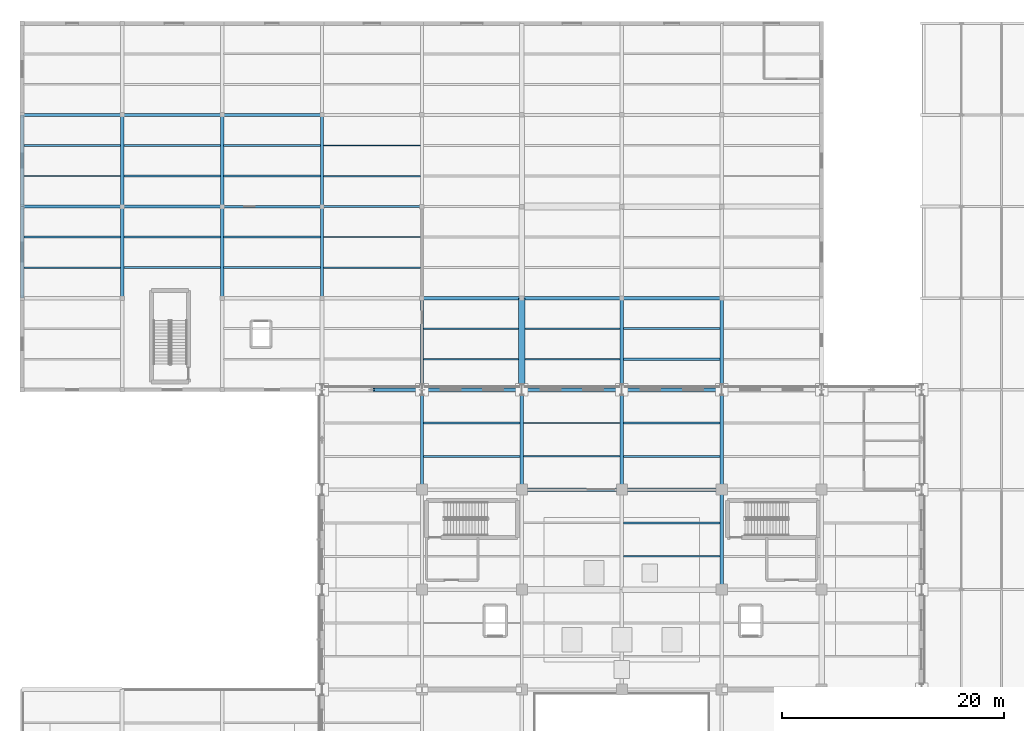
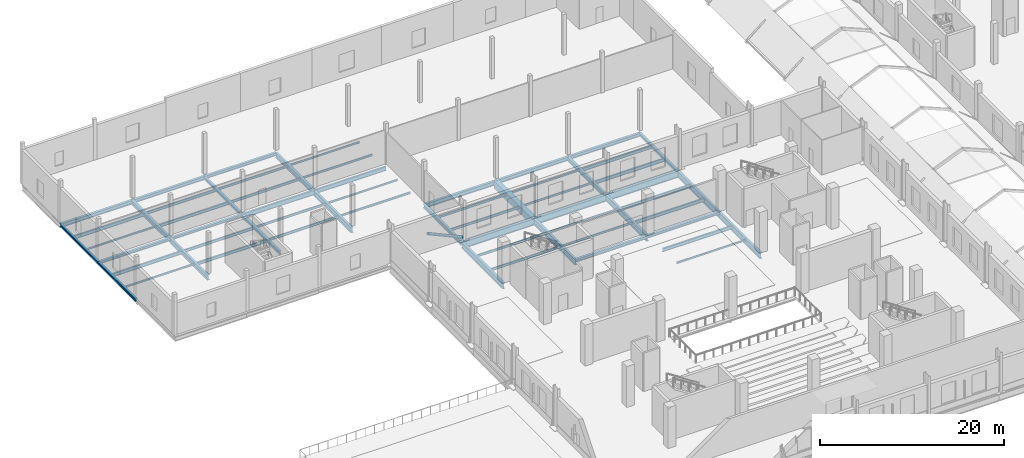
# One storey, part 44 of 141: 62 beams, 1 member.
"""IFC4 building model written with IfcOpenShell, lengths in metres."""

from ifc_helpers import new_model, si_unit, direction, frame, origin, origin_2d, place, context, subcontext, project, spatial, rectangle, hollow_circle, i_section, extrude, material, material_profile, profile_set, type_object, element, save


model = new_model("IFC4")

# Units and contexts
model_context = context("Model", 3, precision=1e-05, world=origin(), true_north=direction((0.0, 1.0)))
body_context = subcontext(model_context, "Body", "Model", "MODEL_VIEW")
ifc_project = project(units=[si_unit("LENGTHUNIT", "METRE"), si_unit("AREAUNIT", "SQUARE_METRE"), si_unit("VOLUMEUNIT", "CUBIC_METRE"), si_unit("PLANEANGLEUNIT", "RADIAN"), si_unit("MASSUNIT", "GRAM", prefix="KILO")], contexts=[model_context])

# Site, building, storey
site_placement = place(None, origin())
site = spatial("IfcSite", under=ifc_project, at=site_placement, CompositionType="ELEMENT")
building_placement = place(site_placement, origin())
building = spatial("IfcBuilding", under=site, at=building_placement, Name="Sundgate Opera House", CompositionType="ELEMENT")
storey_placement = place(building_placement, frame((0.0, 0.0, 11.39990234375)))
storey = spatial("IfcBuildingStorey", under=building, at=storey_placement, Name="L02", CompositionType="ELEMENT", Elevation=11.39990234375)

# Beams
ifc_material_1 = material(Name="Steel S355J2", Category="steel")
ifc_material_profile_1 = material_profile(ifc_material_1, i_section(OverallWidth=0.300048828125, OverallDepth=0.330078125, WebThickness=0.009521484375, FlangeThickness=0.0166015625, at=origin_2d()), Name="HEA 340")
ifc_profile_set_1 = profile_set([ifc_material_profile_1], Name="Steel S355J2")
beam_type_1 = type_object("IfcBeamType", Name="BM-GR-HEA340", PredefinedType="BEAM", material=ifc_profile_set_1)
beam_1_placement = place(storey_placement, frame((0.0, 103.5, -0.514892578125), z_axis=(0.0, 1.0, 0.0), x_axis=(-1.0, 0.0, 0.0)))
element("IfcBeam", 1, at=beam_1_placement, inside=storey, type_object=beam_type_1, Name="L02 Primary N-S Girder B1789", PredefinedType="BEAM", context=body_context, shape_type="SweptSolid", body=[
    extrude(i_section(OverallWidth=0.300048828125, OverallDepth=0.330078125, WebThickness=0.009521484375, FlangeThickness=0.0166015625, at=origin_2d()), origin(), (0.0, 0.0, 1.0), 8.25),
])
beam_2_placement = place(storey_placement, frame((9.0, 103.5, -0.514892578125), z_axis=(1.0, 0.0, 0.0), x_axis=(0.0, 1.0, 0.0)))
element("IfcBeam", 2, at=beam_2_placement, inside=storey, type_object=beam_type_1, Name="L02 Primary E-W Girder B2082", PredefinedType="BEAM", context=body_context, shape_type="SweptSolid", body=[
    extrude(i_section(OverallWidth=0.300048828125, OverallDepth=0.330078125, WebThickness=0.009521484375, FlangeThickness=0.0166015625, at=origin_2d()), origin(), (0.0, 0.0, 1.0), 9.0),
])
ifc_material_2 = material(Name="Steel S355J2", Category="steel")
ifc_material_profile_2 = material_profile(ifc_material_2, i_section(OverallWidth=0.300048828125, OverallDepth=0.35009765625, WebThickness=0.010009765625, FlangeThickness=0.017578125, at=origin_2d()), Name="HEA 360")
ifc_profile_set_2 = profile_set([ifc_material_profile_2], Name="Steel S355J2")
beam_type_2 = type_object("IfcBeamType", Name="BM-GR-HEA360", PredefinedType="BEAM", material=ifc_profile_set_2)
beam_3_placement = place(storey_placement, frame((0.0, 95.25, -0.52490234375), z_axis=(0.0, 1.0, 0.0), x_axis=(-1.0, 0.0, 0.0)))
element("IfcBeam", 3, at=beam_3_placement, inside=storey, type_object=beam_type_2, Name="L02 Primary N-S Girder B1788", PredefinedType="BEAM", context=body_context, shape_type="SweptSolid", body=[
    extrude(i_section(OverallWidth=0.300048828125, OverallDepth=0.35009765625, WebThickness=0.010009765625, FlangeThickness=0.017578125, at=origin_2d()), origin(), (0.0, 0.0, 1.0), 8.25),
])
for number, where, z_axis, x_axis, name in (
    (4, (54.0, 78.0, -0.494873046875), (1.0, 0.0, 0.0), (0.0, 1.0, 0.0), "L02 Primary E-W Girder B2045"),
    (5, (0.0, 103.5, -0.52490234375), (1.0, 0.0, 0.0), (0.0, 1.0, 0.0), "L02 Primary E-W Girder B2081"),
):
    element("IfcBeam", number, at=place(storey_placement, frame(where, z_axis=z_axis, x_axis=x_axis)), inside=storey, type_object=beam_type_2, Name=name, PredefinedType="BEAM", context=body_context, shape_type="SweptSolid", body=[
        extrude(i_section(OverallWidth=0.300048828125, OverallDepth=0.35009765625, WebThickness=0.010009765625, FlangeThickness=0.017578125, at=origin_2d()), origin(), (0.0, 0.0, 1.0), 9.0),
    ])
ifc_material_3 = material(Name="Steel S355J2", Category="steel")
ifc_material_profile_3 = material_profile(ifc_material_3, i_section(OverallWidth=0.300048828125, OverallDepth=0.389892578125, WebThickness=0.010986328125, FlangeThickness=0.01904296875, at=origin_2d()), Name="HEA 400")
ifc_profile_set_3 = profile_set([ifc_material_profile_3], Name="Steel S355J2")
beam_type_3 = type_object("IfcBeamType", Name="BM-GR-HEA400", PredefinedType="BEAM", material=ifc_profile_set_3)
for number, where, z_axis, x_axis, name in (
    (6, (18.0, 103.5, -0.544921875), (0.0, 1.0, 0.0), (-1.0, 0.0, 0.0), "L02 Primary N-S Girder B1809"),
    (7, (63.0, 87.0, -0.544921875), (0.0, 1.0, 0.0), (-1.0, 0.0, 0.0), "L02 Primary N-S Girder B1834"),
):
    element("IfcBeam", number, at=place(storey_placement, frame(where, z_axis=z_axis, x_axis=x_axis)), inside=storey, type_object=beam_type_3, Name=name, PredefinedType="BEAM", context=body_context, shape_type="SweptSolid", body=[
        extrude(i_section(OverallWidth=0.300048828125, OverallDepth=0.389892578125, WebThickness=0.010986328125, FlangeThickness=0.01904296875, at=origin_2d()), origin(), (0.0, 0.0, 1.0), 8.25),
    ])
beam_4_placement = place(storey_placement, frame((45.0, 78.0, -0.514892578125), z_axis=(1.0, 0.0, 0.0), x_axis=(0.0, 1.0, 0.0)))
element("IfcBeam", 8, at=beam_4_placement, inside=storey, type_object=beam_type_3, Name="L02 Primary E-W Girder B2044", PredefinedType="BEAM", context=body_context, shape_type="SweptSolid", body=[
    extrude(i_section(OverallWidth=0.300048828125, OverallDepth=0.389892578125, WebThickness=0.010986328125, FlangeThickness=0.01904296875, at=origin_2d()), origin(), (0.0, 0.0, 1.0), 9.0),
])
ifc_material_4 = material(Name="Steel S355J2", Category="steel")
ifc_material_profile_4 = material_profile(ifc_material_4, i_section(OverallWidth=0.300048828125, OverallDepth=0.43994140625, WebThickness=0.011474609375, FlangeThickness=0.02099609375, at=origin_2d()), Name="HEA 450")
ifc_profile_set_4 = profile_set([ifc_material_profile_4], Name="Steel S355J2")
beam_type_4 = type_object("IfcBeamType", Name="BM-GR-HEA450", PredefinedType="BEAM", material=ifc_profile_set_4)
beam_5_placement = place(storey_placement, frame((18.0, 95.25, -0.56982421875), z_axis=(0.0, 1.0, 0.0), x_axis=(-1.0, 0.0, 0.0)))
element("IfcBeam", 9, at=beam_5_placement, inside=storey, type_object=beam_type_4, Name="L02 Primary N-S Girder B1808", PredefinedType="BEAM", context=body_context, shape_type="SweptSolid", body=[
    extrude(i_section(OverallWidth=0.300048828125, OverallDepth=0.43994140625, WebThickness=0.011474609375, FlangeThickness=0.02099609375, at=origin_2d()), origin(), (0.0, 0.0, 1.0), 8.25),
])
ifc_material_5 = material(Name="Steel S355J2", Category="steel")
ifc_material_profile_5 = material_profile(ifc_material_5, i_section(OverallWidth=0.300048828125, OverallDepth=0.489990234375, WebThickness=0.011962890625, FlangeThickness=0.02294921875, at=origin_2d()), Name="HEA 500")
ifc_profile_set_5 = profile_set([ifc_material_profile_5], Name="Steel S355J2")
beam_type_5 = type_object("IfcBeamType", Name="BM-GR-HEA500", PredefinedType="BEAM", material=ifc_profile_set_5)
beam_6_placement = place(storey_placement, frame((36.0, 87.0, -0.594970703125), z_axis=(0.0, 1.0, 0.0), x_axis=(-1.0, 0.0, 0.0)))
element("IfcBeam", 10, at=beam_6_placement, inside=storey, type_object=beam_type_5, Name="L02 Primary N-S Girder B1819", PredefinedType="BEAM", context=body_context, shape_type="SweptSolid", body=[
    extrude(i_section(OverallWidth=0.300048828125, OverallDepth=0.489990234375, WebThickness=0.011962890625, FlangeThickness=0.02294921875, at=origin_2d()), origin(), (0.0, 0.0, 1.0), 8.25),
])
ifc_material_6 = material(Name="Steel S355J2", Category="steel")
ifc_material_profile_6 = material_profile(ifc_material_6, i_section(OverallWidth=0.300048828125, OverallDepth=0.39990234375, WebThickness=0.013427734375, FlangeThickness=0.02392578125, at=origin_2d()), Name="HEB 400")
ifc_profile_set_6 = profile_set([ifc_material_profile_6], Name="Steel S355J2")
beam_type_6 = type_object("IfcBeamType", Name="BM-GR-HEB400", PredefinedType="BEAM", material=ifc_profile_set_6)
beam_7_placement = place(storey_placement, frame((18.0, 111.75, -0.5498046875), z_axis=(1.0, 0.0, 0.0), x_axis=(0.0, 1.0, 0.0)))
element("IfcBeam", 11, at=beam_7_placement, inside=storey, type_object=beam_type_6, Name="L02 Primary E-W Girder B2097", PredefinedType="BEAM", context=body_context, shape_type="SweptSolid", body=[
    extrude(i_section(OverallWidth=0.300048828125, OverallDepth=0.39990234375, WebThickness=0.013427734375, FlangeThickness=0.02392578125, at=origin_2d()), origin(), (0.0, 0.0, 1.0), 9.0),
])
ifc_material_7 = material(Name="Steel S355J2", Category="steel")
ifc_material_profile_7 = material_profile(ifc_material_7, i_section(OverallWidth=0.300048828125, OverallDepth=0.449951171875, WebThickness=0.013916015625, FlangeThickness=0.02587890625, at=origin_2d()), Name="HEB 450")
ifc_profile_set_7 = profile_set([ifc_material_profile_7], Name="Steel S355J2")
beam_type_7 = type_object("IfcBeamType", Name="BM-GR-HEB450", PredefinedType="BEAM", material=ifc_profile_set_7)
for number, where, z_axis, x_axis, name in (
    (12, (54.0, 95.25, -0.574951171875), (1.0, 0.0, 0.0), (0.0, 1.0, 0.0), "L02 Primary E-W Girder B2074"),
    (13, (9.0, 111.75, -0.574951171875), (1.0, 0.0, 0.0), (0.0, 1.0, 0.0), "L02 Primary E-W Girder B2096"),
):
    element("IfcBeam", number, at=place(storey_placement, frame(where, z_axis=z_axis, x_axis=x_axis)), inside=storey, type_object=beam_type_7, Name=name, PredefinedType="BEAM", context=body_context, shape_type="SweptSolid", body=[
        extrude(i_section(OverallWidth=0.300048828125, OverallDepth=0.449951171875, WebThickness=0.013916015625, FlangeThickness=0.02587890625, at=origin_2d()), origin(), (0.0, 0.0, 1.0), 9.0),
    ])
ifc_material_8 = material(Name="Steel S355J2", Category="steel")
ifc_material_profile_8 = material_profile(ifc_material_8, i_section(OverallWidth=0.300048828125, OverallDepth=0.5, WebThickness=0.014404296875, FlangeThickness=0.028076171875, at=origin_2d()), Name="HEB 500")
ifc_profile_set_8 = profile_set([ifc_material_profile_8], Name="Steel S355J2")
beam_type_8 = type_object("IfcBeamType", Name="BM-GR-HEB500", PredefinedType="BEAM", material=ifc_profile_set_8)
for number, where, z_axis, x_axis, name in (
    (14, (45.0, 95.25, -0.599853515625), (1.0, 0.0, 0.0), (0.0, 1.0, 0.0), "L02 Primary E-W Girder B2073"),
    (15, (0.0, 111.75, -0.599853515625), (1.0, 0.0, 0.0), (0.0, 1.0, 0.0), "L02 Primary E-W Girder B2095"),
):
    element("IfcBeam", number, at=place(storey_placement, frame(where, z_axis=z_axis, x_axis=x_axis)), inside=storey, type_object=beam_type_8, Name=name, PredefinedType="BEAM", context=body_context, shape_type="SweptSolid", body=[
        extrude(i_section(OverallWidth=0.300048828125, OverallDepth=0.5, WebThickness=0.014404296875, FlangeThickness=0.028076171875, at=origin_2d()), origin(), (0.0, 0.0, 1.0), 9.0),
    ])
ifc_material_9 = material(Name="Steel S355J2", Category="steel")
ifc_material_profile_9 = material_profile(ifc_material_9, i_section(OverallWidth=0.300048828125, OverallDepth=0.550048828125, WebThickness=0.014892578125, FlangeThickness=0.029052734375, at=origin_2d()), Name="HEB 550")
ifc_profile_set_9 = profile_set([ifc_material_profile_9], Name="Steel S355J2")
beam_type_9 = type_object("IfcBeamType", Name="BM-GR-HEB550", PredefinedType="BEAM", material=ifc_profile_set_9)
beam_8_placement = place(storey_placement, frame((54.0, 87.0, -0.625), z_axis=(0.0, 1.0, 0.0), x_axis=(-1.0, 0.0, 0.0)))
element("IfcBeam", 16, at=beam_8_placement, inside=storey, type_object=beam_type_9, Name="L02 Primary N-S Girder B1829", PredefinedType="BEAM", context=body_context, shape_type="SweptSolid", body=[
    extrude(i_section(OverallWidth=0.300048828125, OverallDepth=0.550048828125, WebThickness=0.014892578125, FlangeThickness=0.029052734375, at=origin_2d()), origin(), (0.0, 0.0, 1.0), 8.25),
])
beam_9_placement = place(storey_placement, frame((36.0, 95.25, -0.625), z_axis=(1.0, 0.0, 0.0), x_axis=(0.0, 1.0, 0.0)))
element("IfcBeam", 17, at=beam_9_placement, inside=storey, type_object=beam_type_9, Name="L02 Primary E-W Girder B2072", PredefinedType="BEAM", context=body_context, shape_type="SweptSolid", body=[
    extrude(i_section(OverallWidth=0.300048828125, OverallDepth=0.550048828125, WebThickness=0.014892578125, FlangeThickness=0.029052734375, at=origin_2d()), origin(), (0.0, 0.0, 1.0), 9.0),
])
ifc_material_10 = material(Name="Steel S355J2", Category="steel")
ifc_material_profile_10 = material_profile(ifc_material_10, i_section(OverallWidth=0.300048828125, OverallDepth=0.60009765625, WebThickness=0.015380859375, FlangeThickness=0.030029296875, at=origin_2d()), Name="HEB 600")
ifc_profile_set_10 = profile_set([ifc_material_profile_10], Name="Steel S355J2")
beam_type_10 = type_object("IfcBeamType", Name="BM-GR-HEB600", PredefinedType="BEAM", material=ifc_profile_set_10)
beam_10_placement = place(storey_placement, frame((9.0, 103.5, -0.64990234375), z_axis=(0.0, 1.0, 0.0), x_axis=(-1.0, 0.0, 0.0)))
element("IfcBeam", 18, at=beam_10_placement, inside=storey, type_object=beam_type_10, Name="L02 Primary N-S Girder B1800", PredefinedType="BEAM", context=body_context, shape_type="SweptSolid", body=[
    extrude(i_section(OverallWidth=0.300048828125, OverallDepth=0.60009765625, WebThickness=0.015380859375, FlangeThickness=0.030029296875, at=origin_2d()), origin(), (0.0, 0.0, 1.0), 8.25),
])
ifc_material_11 = material(Name="Steel S355J2", Category="steel")
ifc_material_profile_11 = material_profile(ifc_material_11, i_section(OverallWidth=0.300048828125, OverallDepth=0.64990234375, WebThickness=0.01611328125, FlangeThickness=0.031005859375, at=origin_2d()), Name="HEB 650")
ifc_profile_set_11 = profile_set([ifc_material_profile_11], Name="Steel S355J2")
beam_type_11 = type_object("IfcBeamType", Name="BM-GR-HEB650", PredefinedType="BEAM", material=ifc_profile_set_11)
for number, where, z_axis, x_axis, name in (
    (19, (9.0, 95.25, -0.6748046875), (0.0, 1.0, 0.0), (-1.0, 0.0, 0.0), "L02 Primary N-S Girder B1799"),
    (20, (27.0, 103.5, -0.6748046875), (0.0, 1.0, 0.0), (-1.0, 0.0, 0.0), "L02 Primary N-S Girder B1815"),
):
    element("IfcBeam", number, at=place(storey_placement, frame(where, z_axis=z_axis, x_axis=x_axis)), inside=storey, type_object=beam_type_11, Name=name, PredefinedType="BEAM", context=body_context, shape_type="SweptSolid", body=[
        extrude(i_section(OverallWidth=0.300048828125, OverallDepth=0.64990234375, WebThickness=0.01611328125, FlangeThickness=0.031005859375, at=origin_2d()), origin(), (0.0, 0.0, 1.0), 8.25),
    ])
ifc_material_12 = material(Name="Steel S355J2", Category="steel")
ifc_material_profile_12 = material_profile(ifc_material_12, i_section(OverallWidth=0.300048828125, OverallDepth=0.699951171875, WebThickness=0.01708984375, FlangeThickness=0.031982421875, at=origin_2d()), Name="HEB 700")
ifc_profile_set_12 = profile_set([ifc_material_profile_12], Name="Steel S355J2")
beam_type_12 = type_object("IfcBeamType", Name="BM-GR-HEB700", PredefinedType="BEAM", material=ifc_profile_set_12)
beam_11_placement = place(storey_placement, frame((27.0, 95.25, -0.699951171875), z_axis=(0.0, 1.0, 0.0), x_axis=(-1.0, 0.0, 0.0)))
element("IfcBeam", 21, at=beam_11_placement, inside=storey, type_object=beam_type_12, Name="L02 Primary N-S Girder B1814", PredefinedType="BEAM", context=body_context, shape_type="SweptSolid", body=[
    extrude(i_section(OverallWidth=0.300048828125, OverallDepth=0.699951171875, WebThickness=0.01708984375, FlangeThickness=0.031982421875, at=origin_2d()), origin(), (0.0, 0.0, 1.0), 8.25),
])
ifc_material_13 = material(Name="Steel S355J2", Category="steel")
ifc_material_profile_13 = material_profile(ifc_material_13, i_section(OverallWidth=0.2099609375, OverallDepth=0.550048828125, WebThickness=0.010986328125, FlangeThickness=0.01708984375, at=origin_2d()), Name="IPE 550")
ifc_profile_set_13 = profile_set([ifc_material_profile_13], Name="Steel S355J2")
beam_type_13 = type_object("IfcBeamType", Name="BM-GR-IPE550", PredefinedType="BEAM", material=ifc_profile_set_13)
beam_12_placement = place(storey_placement, frame((27.0, 103.5, -0.625), z_axis=(1.0, 0.0, 0.0), x_axis=(0.0, 1.0, 0.0)))
element("IfcBeam", 22, at=beam_12_placement, inside=storey, type_object=beam_type_13, Name="L02 Primary E-W Girder B2084", PredefinedType="BEAM", context=body_context, shape_type="SweptSolid", body=[
    extrude(i_section(OverallWidth=0.2099609375, OverallDepth=0.550048828125, WebThickness=0.010986328125, FlangeThickness=0.01708984375, at=origin_2d()), origin(), (0.0, 0.0, 1.0), 9.0),
])
ifc_material_14 = material(Name="Steel S355J2", Category="steel")
ifc_material_profile_14 = material_profile(ifc_material_14, i_section(OverallWidth=0.219970703125, OverallDepth=0.60009765625, WebThickness=0.011962890625, FlangeThickness=0.01904296875, at=origin_2d()), Name="IPE 600")
ifc_profile_set_14 = profile_set([ifc_material_profile_14], Name="Steel S355J2")
beam_type_14 = type_object("IfcBeamType", Name="BM-GR-IPE600", PredefinedType="BEAM", material=ifc_profile_set_14)
beam_13_placement = place(storey_placement, frame((18.0, 103.5, -0.64990234375), z_axis=(1.0, 0.0, 0.0), x_axis=(0.0, 1.0, 0.0)))
element("IfcBeam", 23, at=beam_13_placement, inside=storey, type_object=beam_type_14, Name="L02 Primary E-W Girder B2083", PredefinedType="BEAM", context=body_context, shape_type="SweptSolid", body=[
    extrude(i_section(OverallWidth=0.219970703125, OverallDepth=0.60009765625, WebThickness=0.011962890625, FlangeThickness=0.01904296875, at=origin_2d()), origin(), (0.0, 0.0, 1.0), 9.0),
])
ifc_material_15 = material(Name="Steel S355J2", Category="steel")
ifc_material_profile_15 = material_profile(ifc_material_15, i_section(OverallWidth=0.1201171875, OverallDepth=0.239990234375, WebThickness=0.006103515625, FlangeThickness=0.009765625, at=origin_2d()), Name="IPE 240")
ifc_profile_set_15 = profile_set([ifc_material_profile_15], Name="Steel S355J2")
beam_type_15 = type_object("IfcBeamType", Name="BM-JS-IPE240", PredefinedType="JOIST", material=ifc_profile_set_15)
for number, where, z_axis, x_axis, name in (
    (24, (54.14990234375, 72.0, -0.43994140625), (1.0, 0.0, 0.0), (0.0, 1.0, 0.0), "L02 Secondary Floor Joist B2282"),
    (25, (45.14990234375, 84.0, -0.43994140625), (1.0, 0.0, 0.0), (0.0, 1.0, 0.0), "L02 Secondary Floor Joist B2310"),
):
    element("IfcBeam", number, at=place(storey_placement, frame(where, z_axis=z_axis, x_axis=x_axis)), inside=storey, type_object=beam_type_15, Name=name, PredefinedType="JOIST", context=body_context, shape_type="SweptSolid", body=[
        extrude(i_section(OverallWidth=0.1201171875, OverallDepth=0.239990234375, WebThickness=0.006103515625, FlangeThickness=0.009765625, at=origin_2d()), origin(), (0.0, 0.0, 1.0), 8.7001953125),
    ])
beam_14_placement = place(storey_placement, frame((45.300048828125, 92.5, -0.469970703125), z_axis=(1.0, 0.0, 0.0), x_axis=(0.0, 1.0, 0.0)))
element("IfcBeam", 26, at=beam_14_placement, inside=storey, type_object=beam_type_15, Name="L02 Secondary Floor Joist B2345", PredefinedType="JOIST", context=body_context, shape_type="SweptSolid", body=[
    extrude(i_section(OverallWidth=0.1201171875, OverallDepth=0.239990234375, WebThickness=0.006103515625, FlangeThickness=0.009765625, at=origin_2d()), origin(), (0.0, 0.0, 1.0), 8.550048828125),
])
for number, where, z_axis, x_axis, name in (
    (27, (0.14990234375, 98.0, -0.469970703125), (1.0, 0.0, 0.0), (0.0, 1.0, 0.0), "L02 Secondary Floor Joist B2359"),
    (28, (27.14990234375, 100.75, -0.469970703125), (1.0, 0.0, 0.0), (0.0, 1.0, 0.0), "L02 Secondary Floor Joist B2366"),
    (29, (0.14990234375, 106.25, -0.469970703125), (1.0, 0.0, 0.0), (0.0, 1.0, 0.0), "L02 Secondary Floor Joist B2387"),
    (30, (27.14990234375, 109.0, -0.469970703125), (1.0, 0.0, 0.0), (0.0, 1.0, 0.0), "L02 Secondary Floor Joist B2394"),
):
    element("IfcBeam", number, at=place(storey_placement, frame(where, z_axis=z_axis, x_axis=x_axis)), inside=storey, type_object=beam_type_15, Name=name, PredefinedType="JOIST", context=body_context, shape_type="SweptSolid", body=[
        extrude(i_section(OverallWidth=0.1201171875, OverallDepth=0.239990234375, WebThickness=0.006103515625, FlangeThickness=0.009765625, at=origin_2d()), origin(), (0.0, 0.0, 1.0), 8.7001953125),
    ])
ifc_material_16 = material(Name="Steel S355J2", Category="steel")
ifc_material_profile_16 = material_profile(ifc_material_16, i_section(OverallWidth=0.135009765625, OverallDepth=0.27001953125, WebThickness=0.006591796875, FlangeThickness=0.01025390625, at=origin_2d()), Name="IPE 270")
ifc_profile_set_16 = profile_set([ifc_material_profile_16], Name="Steel S355J2")
beam_type_16 = type_object("IfcBeamType", Name="BM-JS-IPE270", PredefinedType="JOIST", material=ifc_profile_set_16)
beam_15_placement = place(storey_placement, frame((45.14990234375, 81.0, -0.454833984375), z_axis=(1.0, 0.0, 0.0), x_axis=(0.0, 1.0, 0.0)))
element("IfcBeam", 31, at=beam_15_placement, inside=storey, type_object=beam_type_16, Name="L02 Secondary Floor Joist B2309", PredefinedType="JOIST", context=body_context, shape_type="SweptSolid", body=[
    extrude(i_section(OverallWidth=0.135009765625, OverallDepth=0.27001953125, WebThickness=0.006591796875, FlangeThickness=0.01025390625, at=origin_2d()), origin(), (0.0, 0.0, 1.0), 8.7001953125),
])
beam_16_placement = place(storey_placement, frame((45.300048828125, 89.75, -0.48486328125), z_axis=(1.0, 0.0, 0.0), x_axis=(0.0, 1.0, 0.0)))
element("IfcBeam", 32, at=beam_16_placement, inside=storey, type_object=beam_type_16, Name="L02 Secondary Floor Joist B2344", PredefinedType="JOIST", context=body_context, shape_type="SweptSolid", body=[
    extrude(i_section(OverallWidth=0.135009765625, OverallDepth=0.27001953125, WebThickness=0.006591796875, FlangeThickness=0.01025390625, at=origin_2d()), origin(), (0.0, 0.0, 1.0), 8.550048828125),
])
for number, where, z_axis, x_axis, name in (
    (33, (27.14990234375, 98.0, -0.48486328125), (1.0, 0.0, 0.0), (0.0, 1.0, 0.0), "L02 Secondary Floor Joist B2365"),
    (34, (27.14990234375, 106.25, -0.48486328125), (1.0, 0.0, 0.0), (0.0, 1.0, 0.0), "L02 Secondary Floor Joist B2393"),
):
    element("IfcBeam", number, at=place(storey_placement, frame(where, z_axis=z_axis, x_axis=x_axis)), inside=storey, type_object=beam_type_16, Name=name, PredefinedType="JOIST", context=body_context, shape_type="SweptSolid", body=[
        extrude(i_section(OverallWidth=0.135009765625, OverallDepth=0.27001953125, WebThickness=0.006591796875, FlangeThickness=0.01025390625, at=origin_2d()), origin(), (0.0, 0.0, 1.0), 8.7001953125),
    ])
ifc_material_17 = material(Name="Steel S355J2", Category="steel")
ifc_material_profile_17 = material_profile(ifc_material_17, i_section(OverallWidth=0.14990234375, OverallDepth=0.300048828125, WebThickness=0.007080078125, FlangeThickness=0.0107421875, at=origin_2d()), Name="IPE 300")
ifc_profile_set_17 = profile_set([ifc_material_profile_17], Name="Steel S355J2")
beam_type_17 = type_object("IfcBeamType", Name="BM-JS-IPE300", PredefinedType="JOIST", material=ifc_profile_set_17)
beam_17_placement = place(storey_placement, frame((36.14990234375, 84.0, -0.469970703125), z_axis=(1.0, 0.0, 0.0), x_axis=(0.0, 1.0, 0.0)))
element("IfcBeam", 35, at=beam_17_placement, inside=storey, type_object=beam_type_17, Name="L02 Secondary Floor Joist B2308", PredefinedType="JOIST", context=body_context, shape_type="SweptSolid", body=[
    extrude(i_section(OverallWidth=0.14990234375, OverallDepth=0.300048828125, WebThickness=0.007080078125, FlangeThickness=0.0107421875, at=origin_2d()), origin(), (0.0, 0.0, 1.0), 8.7001953125),
])
beam_18_placement = place(storey_placement, frame((36.14990234375, 92.5, -0.5), z_axis=(1.0, 0.0, 0.0), x_axis=(0.0, 1.0, 0.0)))
element("IfcBeam", 36, at=beam_18_placement, inside=storey, type_object=beam_type_17, Name="L02 Secondary Floor Joist B2343", PredefinedType="JOIST", context=body_context, shape_type="SweptSolid", body=[
    extrude(i_section(OverallWidth=0.14990234375, OverallDepth=0.300048828125, WebThickness=0.007080078125, FlangeThickness=0.0107421875, at=origin_2d()), origin(), (0.0, 0.0, 1.0), 8.550048828125),
])
for number, where, z_axis, x_axis, name in (
    (37, (18.14990234375, 100.75, -0.5), (1.0, 0.0, 0.0), (0.0, 1.0, 0.0), "L02 Secondary Floor Joist B2364"),
    (38, (18.14990234375, 109.0, -0.5), (1.0, 0.0, 0.0), (0.0, 1.0, 0.0), "L02 Secondary Floor Joist B2392"),
):
    element("IfcBeam", number, at=place(storey_placement, frame(where, z_axis=z_axis, x_axis=x_axis)), inside=storey, type_object=beam_type_17, Name=name, PredefinedType="JOIST", context=body_context, shape_type="SweptSolid", body=[
        extrude(i_section(OverallWidth=0.14990234375, OverallDepth=0.300048828125, WebThickness=0.007080078125, FlangeThickness=0.0107421875, at=origin_2d()), origin(), (0.0, 0.0, 1.0), 8.7001953125),
    ])
ifc_material_18 = material(Name="Steel S355J2", Category="steel")
ifc_material_profile_18 = material_profile(ifc_material_18, i_section(OverallWidth=0.159912109375, OverallDepth=0.330078125, WebThickness=0.007568359375, FlangeThickness=0.011474609375, at=origin_2d()), Name="IPE 330")
ifc_profile_set_18 = profile_set([ifc_material_profile_18], Name="Steel S355J2")
beam_type_18 = type_object("IfcBeamType", Name="BM-JS-IPE330", PredefinedType="JOIST", material=ifc_profile_set_18)
beam_19_placement = place(storey_placement, frame((36.14990234375, 81.0, -0.48486328125), z_axis=(1.0, 0.0, 0.0), x_axis=(0.0, 1.0, 0.0)))
element("IfcBeam", 39, at=beam_19_placement, inside=storey, type_object=beam_type_18, Name="L02 Secondary Floor Joist B2307", PredefinedType="JOIST", context=body_context, shape_type="SweptSolid", body=[
    extrude(i_section(OverallWidth=0.159912109375, OverallDepth=0.330078125, WebThickness=0.007568359375, FlangeThickness=0.011474609375, at=origin_2d()), origin(), (0.0, 0.0, 1.0), 8.7001953125),
])
beam_20_placement = place(storey_placement, frame((36.14990234375, 89.75, -0.514892578125), z_axis=(1.0, 0.0, 0.0), x_axis=(0.0, 1.0, 0.0)))
element("IfcBeam", 40, at=beam_20_placement, inside=storey, type_object=beam_type_18, Name="L02 Secondary Floor Joist B2342", PredefinedType="JOIST", context=body_context, shape_type="SweptSolid", body=[
    extrude(i_section(OverallWidth=0.159912109375, OverallDepth=0.330078125, WebThickness=0.007568359375, FlangeThickness=0.011474609375, at=origin_2d()), origin(), (0.0, 0.0, 1.0), 8.550048828125),
])
for number, where, z_axis, x_axis, name in (
    (41, (18.14990234375, 98.0, -0.514892578125), (1.0, 0.0, 0.0), (0.0, 1.0, 0.0), "L02 Secondary Floor Joist B2363"),
    (42, (18.14990234375, 106.25, -0.514892578125), (1.0, 0.0, 0.0), (0.0, 1.0, 0.0), "L02 Secondary Floor Joist B2391"),
):
    element("IfcBeam", number, at=place(storey_placement, frame(where, z_axis=z_axis, x_axis=x_axis)), inside=storey, type_object=beam_type_18, Name=name, PredefinedType="JOIST", context=body_context, shape_type="SweptSolid", body=[
        extrude(i_section(OverallWidth=0.159912109375, OverallDepth=0.330078125, WebThickness=0.007568359375, FlangeThickness=0.011474609375, at=origin_2d()), origin(), (0.0, 0.0, 1.0), 8.7001953125),
    ])
ifc_material_19 = material(Name="Steel S355J2", Category="steel")
ifc_material_profile_19 = material_profile(ifc_material_19, i_section(OverallWidth=0.169921875, OverallDepth=0.360107421875, WebThickness=0.008056640625, FlangeThickness=0.0126953125, at=origin_2d()), Name="IPE 360")
ifc_profile_set_19 = profile_set([ifc_material_profile_19], Name="Steel S355J2")
beam_type_19 = type_object("IfcBeamType", Name="BM-JS-IPE360", PredefinedType="JOIST", material=ifc_profile_set_19)
for number, where, z_axis, x_axis, name in (
    (43, (9.14990234375, 100.75, -0.52978515625), (1.0, 0.0, 0.0), (0.0, 1.0, 0.0), "L02 Secondary Floor Joist B2362"),
    (44, (9.14990234375, 109.0, -0.52978515625), (1.0, 0.0, 0.0), (0.0, 1.0, 0.0), "L02 Secondary Floor Joist B2390"),
):
    element("IfcBeam", number, at=place(storey_placement, frame(where, z_axis=z_axis, x_axis=x_axis)), inside=storey, type_object=beam_type_19, Name=name, PredefinedType="JOIST", context=body_context, shape_type="SweptSolid", body=[
        extrude(i_section(OverallWidth=0.169921875, OverallDepth=0.360107421875, WebThickness=0.008056640625, FlangeThickness=0.0126953125, at=origin_2d()), origin(), (0.0, 0.0, 1.0), 8.7001953125),
    ])
ifc_material_20 = material(Name="Steel S355J2", Category="steel")
ifc_material_profile_20 = material_profile(ifc_material_20, i_section(OverallWidth=0.179931640625, OverallDepth=0.39990234375, WebThickness=0.008544921875, FlangeThickness=0.013427734375, at=origin_2d()), Name="IPE 400")
ifc_profile_set_20 = profile_set([ifc_material_profile_20], Name="Steel S355J2")
beam_type_20 = type_object("IfcBeamType", Name="BM-JS-IPE400", PredefinedType="JOIST", material=ifc_profile_set_20)
for number, where, z_axis, x_axis, name in (
    (45, (54.14990234375, 84.0, -0.52001953125), (1.0, 0.0, 0.0), (0.0, 1.0, 0.0), "L02 Secondary Floor Joist B2312"),
    (46, (54.14990234375, 92.5, -0.5498046875), (1.0, 0.0, 0.0), (0.0, 1.0, 0.0), "L02 Secondary Floor Joist B2347"),
    (47, (9.14990234375, 98.0, -0.5498046875), (1.0, 0.0, 0.0), (0.0, 1.0, 0.0), "L02 Secondary Floor Joist B2361"),
    (48, (9.14990234375, 106.25, -0.5498046875), (1.0, 0.0, 0.0), (0.0, 1.0, 0.0), "L02 Secondary Floor Joist B2389"),
):
    element("IfcBeam", number, at=place(storey_placement, frame(where, z_axis=z_axis, x_axis=x_axis)), inside=storey, type_object=beam_type_20, Name=name, PredefinedType="JOIST", context=body_context, shape_type="SweptSolid", body=[
        extrude(i_section(OverallWidth=0.179931640625, OverallDepth=0.39990234375, WebThickness=0.008544921875, FlangeThickness=0.013427734375, at=origin_2d()), origin(), (0.0, 0.0, 1.0), 8.7001953125),
    ])
ifc_material_21 = material(Name="Steel S355J2", Category="steel")
ifc_material_profile_21 = material_profile(ifc_material_21, i_section(OverallWidth=0.18994140625, OverallDepth=0.449951171875, WebThickness=0.009521484375, FlangeThickness=0.0146484375, at=origin_2d()), Name="IPE 450")
ifc_profile_set_21 = profile_set([ifc_material_profile_21], Name="Steel S355J2")
beam_type_21 = type_object("IfcBeamType", Name="BM-JS-IPE450", PredefinedType="JOIST", material=ifc_profile_set_21)
for number, where, z_axis, x_axis, name in (
    (49, (54.14990234375, 75.0, -0.544921875), (1.0, 0.0, 0.0), (0.0, 1.0, 0.0), "L02 Secondary Floor Joist B2283"),
    (50, (54.14990234375, 81.0, -0.544921875), (1.0, 0.0, 0.0), (0.0, 1.0, 0.0), "L02 Secondary Floor Joist B2311"),
    (51, (54.14990234375, 89.75, -0.574951171875), (1.0, 0.0, 0.0), (0.0, 1.0, 0.0), "L02 Secondary Floor Joist B2346"),
    (52, (0.14990234375, 100.75, -0.574951171875), (1.0, 0.0, 0.0), (0.0, 1.0, 0.0), "L02 Secondary Floor Joist B2360"),
    (53, (0.14990234375, 109.0, -0.574951171875), (1.0, 0.0, 0.0), (0.0, 1.0, 0.0), "L02 Secondary Floor Joist B2388"),
):
    element("IfcBeam", number, at=place(storey_placement, frame(where, z_axis=z_axis, x_axis=x_axis)), inside=storey, type_object=beam_type_21, Name=name, PredefinedType="JOIST", context=body_context, shape_type="SweptSolid", body=[
        extrude(i_section(OverallWidth=0.18994140625, OverallDepth=0.449951171875, WebThickness=0.009521484375, FlangeThickness=0.0146484375, at=origin_2d()), origin(), (0.0, 0.0, 1.0), 8.7001953125),
    ])
ifc_material_22 = material(Name="Steel S355J2", Category="steel")
ifc_material_profile_22 = material_profile(ifc_material_22, i_section(OverallWidth=0.300048828125, OverallDepth=0.800048828125, WebThickness=0.017578125, FlangeThickness=0.032958984375, at=origin_2d()), Name="HEB 800")
ifc_profile_set_22 = profile_set([ifc_material_profile_22], Name="Steel S355J2")
beam_type_22 = type_object("IfcBeamType", Name="BM-OUT-HEB800", PredefinedType="BEAM", material=ifc_profile_set_22)
for number, where, z_axis, x_axis, name in (
    (54, (36.0, 78.0, -0.75), (0.0, 1.0, 0.0), (-1.0, 0.0, 0.0), "L02 Cube Outrigger Girder B0028"),
    (55, (45.0, 78.0, -0.75), (0.0, 1.0, 0.0), (-1.0, 0.0, 0.0), "L02 Cube Outrigger Girder B0031"),
    (56, (54.0, 78.0, -0.75), (0.0, 1.0, 0.0), (-1.0, 0.0, 0.0), "L02 Cube Outrigger Girder B0034"),
    (57, (63.0, 69.0, -0.75), (0.0, 1.0, 0.0), (-1.0, 0.0, 0.0), "L02 Cube Outrigger Back-Span Girder B0036"),
    (58, (63.0, 78.0, -0.75), (0.0, 1.0, 0.0), (-1.0, 0.0, 0.0), "L02 Cube Outrigger Girder B0037"),
):
    element("IfcBeam", number, at=place(storey_placement, frame(where, z_axis=z_axis, x_axis=x_axis)), inside=storey, type_object=beam_type_22, Name=name, PredefinedType="BEAM", context=body_context, shape_type="SweptSolid", body=[
        extrude(i_section(OverallWidth=0.300048828125, OverallDepth=0.800048828125, WebThickness=0.017578125, FlangeThickness=0.032958984375, at=origin_2d()), origin(), (0.0, 0.0, 1.0), 9.0),
    ])
ifc_material_23 = material(Name="Concrete C40/50", Category="concrete")
ifc_material_profile_23 = material_profile(ifc_material_23, rectangle(XDim=0.60009765625, YDim=0.949951171875, at=origin_2d()), Name="RC 600x950")
ifc_profile_set_23 = profile_set([ifc_material_profile_23], Name="Concrete C40/50")
beam_type_23 = type_object("IfcBeamType", Name="BM-RC-600x950", PredefinedType="BEAM", material=ifc_profile_set_23)
beam_21_placement = place(storey_placement, frame((45.0, 87.0, -0.824951171875), z_axis=(0.0, 1.0, 0.0), x_axis=(-1.0, 0.0, 0.0)))
element("IfcBeam", 59, at=beam_21_placement, inside=storey, type_object=beam_type_23, Name="L02 Primary N-S Girder B1824", PredefinedType="BEAM", context=body_context, shape_type="SweptSolid", body=[
    extrude(rectangle(XDim=0.60009765625, YDim=0.949951171875, at=origin_2d()), origin(), (0.0, 0.0, 1.0), 8.25),
])
ifc_material_24 = material(Name="Steel S355ML", Category="steel")
ifc_material_profile_24 = material_profile(ifc_material_24, i_section(OverallWidth=0.300048828125, OverallDepth=0.89990234375, WebThickness=0.0185546875, FlangeThickness=0.034912109375, at=origin_2d()), Name="HEB 900")
ifc_profile_set_24 = profile_set([ifc_material_profile_24], Name="Steel S355ML")
beam_type_24 = type_object("IfcBeamType", Name="BM-TR-HEB900", PredefinedType="BEAM", material=ifc_profile_set_24)
for number, where, z_axis, x_axis, name in (
    (60, (36.0, 87.0, -0.7998046875), (1.0, 0.0, 0.0), (0.0, 1.0, 0.0), "L02 Cube Perimeter Transfer Girder B0008"),
    (61, (45.0, 87.0, -0.7998046875), (1.0, 0.0, 0.0), (0.0, 1.0, 0.0), "L02 Cube Perimeter Transfer Girder B0009"),
    (62, (54.0, 87.0, -0.7998046875), (1.0, 0.0, 0.0), (0.0, 1.0, 0.0), "L02 Cube Perimeter Transfer Girder B0010"),
):
    element("IfcBeam", number, at=place(storey_placement, frame(where, z_axis=z_axis, x_axis=x_axis)), inside=storey, type_object=beam_type_24, Name=name, PredefinedType="BEAM", context=body_context, shape_type="SweptSolid", body=[
        extrude(i_section(OverallWidth=0.300048828125, OverallDepth=0.89990234375, WebThickness=0.0185546875, FlangeThickness=0.034912109375, at=origin_2d()), origin(), (0.0, 0.0, 1.0), 9.0),
    ])

# Member
ifc_material_25 = material(Name="Steel S355J2", Category="steel")
ifc_material_profile_25 = material_profile(ifc_material_25, hollow_circle(Radius=0.177734375, WallThickness=0.01611328125, at=origin_2d()), Name="CHS 355.6x16.0")
ifc_profile_set_25 = profile_set([ifc_material_profile_25], Name="Steel S355J2")
member_type = type_object("IfcMemberType", Name="MB-BRC-CHS356", PredefinedType="BRACE", material=ifc_profile_set_25)
member_placement = place(storey_placement, frame((36.0, 87.0, 0.25), z_axis=(-0.910006192119, 0.0, 0.414594657836), x_axis=(0.0, -1.0, 0.0)))
element("IfcMember", 63, at=member_placement, inside=storey, type_object=member_type, Name="L02 Belt-Truss Lower Half Diagonal M0006", PredefinedType="BRACE", context=body_context, shape_type="SweptSolid", body=[
    extrude(hollow_circle(Radius=0.177734375, WallThickness=0.01611328125, at=origin_2d()), origin(), (0.0, 0.0, 1.0), 4.78515625),
])

save(model, "model.ifc")
